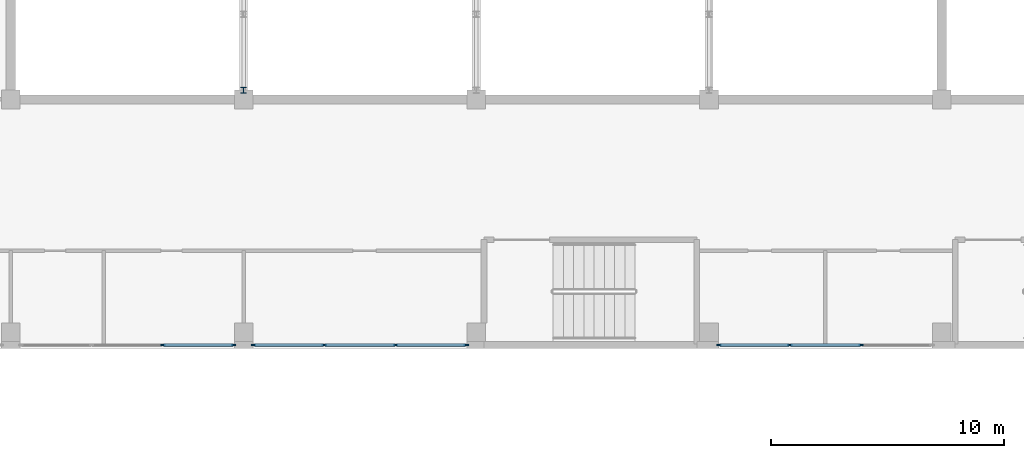
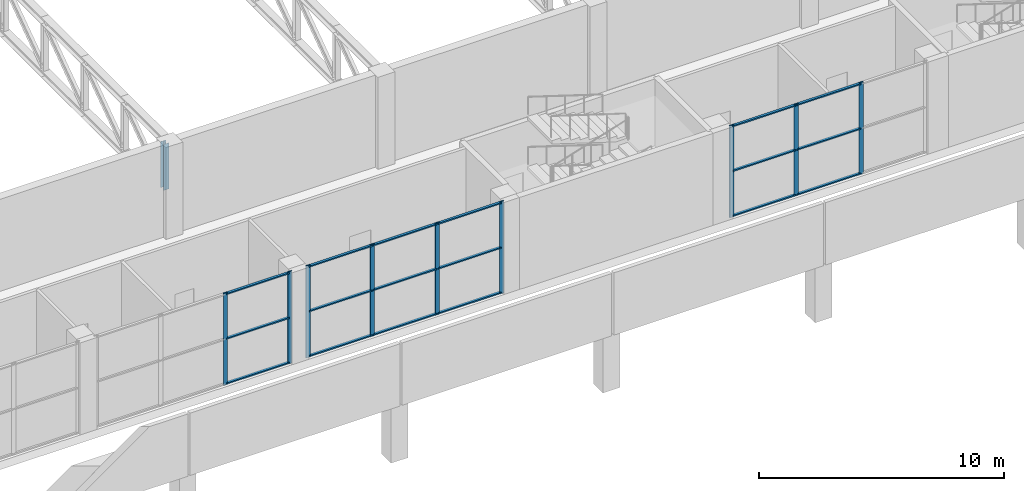
# One storey, part 4 of 36: 28 members, 3 elements without a shape of their own.
"""IFC4 building model written with IfcOpenShell, lengths in metres."""

from ifc_helpers import new_model, si_unit, direction, frame, origin, origin_2d, place, context, subcontext, project, spatial, rectangle, i_section, extrude, material, material_profile, profile_set, type_object, element, aggregate, save


model = new_model("IFC4")

# Units and contexts
model_context = context("Model", 3, precision=1e-05, world=origin(), true_north=direction((0.0, 1.0)))
body_context = subcontext(model_context, "Body", "Model", "MODEL_VIEW")
ifc_project = project(units=[si_unit("LENGTHUNIT", "METRE"), si_unit("AREAUNIT", "SQUARE_METRE"), si_unit("VOLUMEUNIT", "CUBIC_METRE"), si_unit("PLANEANGLEUNIT", "RADIAN"), si_unit("MASSUNIT", "GRAM", prefix="KILO")], contexts=[model_context])

# Site, building, storey
site_placement = place(None, origin())
site = spatial("IfcSite", under=ifc_project, at=site_placement, CompositionType="ELEMENT")
building_placement = place(site_placement, origin())
building = spatial("IfcBuilding", under=site, at=building_placement, Name="Jabali Bay Hotel Tower and Convention Centre", CompositionType="ELEMENT")
storey_placement = place(building_placement, frame((0.0, 0.0, 20.39990234375)))
storey = spatial("IfcBuildingStorey", under=building, at=storey_placement, Name="L03", CompositionType="ELEMENT", Elevation=20.39990234375)

# Curtain wall, members
ifc_material_1 = material(Name="Aluminium 6063-T5 and glass", Category="aluminium")
curtain_wall_type = type_object("IfcCurtainWallType", Name="CC CW5 Unitised Curtain Wall", PredefinedType="NOTDEFINED", material=ifc_material_1)
curtain_wall_1_placement = place(storey_placement, origin())
curtain_wall_1 = element("IfcCurtainWall", 1, at=curtain_wall_1_placement, inside=storey, type_object=curtain_wall_type, Name="CC CW5 run 8", PredefinedType="NOTDEFINED")
ifc_material_2 = material(Name="Aluminium 6063-T5", Category="aluminium")
ifc_material_profile_1 = material_profile(ifc_material_2, rectangle(XDim=0.06005859375, YDim=0.199951171875, at=origin_2d()), Name="AL 60x200")
ifc_profile_set_1 = profile_set([ifc_material_profile_1], Name="Aluminium 6063-T5")
member_type_1 = type_object("IfcMemberType", Name="CC Curtain Wall Mullion 60x200", PredefinedType="MULLION", material=ifc_profile_set_1)
member_1_placement = place(storey_placement, frame((187.2333984375, 49.449951171875, 0.0), z_axis=(0.0, 0.0, 1.0), x_axis=(0.0, 1.0, 0.0)))
member_1 = element("IfcMember", 2, at=member_1_placement, type_object=member_type_1, Name="CC-CW5 mullion 3", PredefinedType="MULLION", context=body_context, shape_type="SweptSolid", body=[
    extrude(rectangle(XDim=0.06005859375, YDim=0.199951171875, at=origin_2d()), origin(), (0.0, 0.0, 1.0), 4.590087890625),
])
member_2_placement = place(storey_placement, frame((190.27001953125, 49.449951171875, 0.0), z_axis=(0.0, 0.0, 1.0), x_axis=(0.0, 1.0, 0.0)))
member_2 = element("IfcMember", 3, at=member_2_placement, type_object=member_type_1, Name="CC-CW5 mullion 4", PredefinedType="MULLION", context=body_context, shape_type="SweptSolid", body=[
    extrude(rectangle(XDim=0.06005859375, YDim=0.199951171875, at=origin_2d()), origin(), (0.0, 0.0, 1.0), 4.590087890625),
])

curtain_wall_2_placement = place(storey_placement, origin())
curtain_wall_2 = element("IfcCurtainWall", 4, at=curtain_wall_2_placement, inside=storey, type_object=curtain_wall_type, Name="CC CW5 run 9", PredefinedType="NOTDEFINED")
member_3_placement = place(storey_placement, frame((191.1298828125, 49.449951171875, 0.0), z_axis=(0.0, 0.0, 1.0), x_axis=(0.0, 1.0, 0.0)))
member_3 = element("IfcMember", 5, at=member_3_placement, type_object=member_type_1, Name="CC-CW5 mullion 1", PredefinedType="MULLION", context=body_context, shape_type="SweptSolid", body=[
    extrude(rectangle(XDim=0.06005859375, YDim=0.199951171875, at=origin_2d()), origin(), (0.0, 0.0, 1.0), 4.590087890625),
])
member_4_placement = place(storey_placement, frame((194.166748046875, 49.449951171875, 0.0), z_axis=(0.0, 0.0, 1.0), x_axis=(0.0, 1.0, 0.0)))
member_4 = element("IfcMember", 6, at=member_4_placement, type_object=member_type_1, Name="CC-CW5 mullion 2", PredefinedType="MULLION", context=body_context, shape_type="SweptSolid", body=[
    extrude(rectangle(XDim=0.06005859375, YDim=0.199951171875, at=origin_2d()), origin(), (0.0, 0.0, 1.0), 4.590087890625),
])
member_5_placement = place(storey_placement, frame((197.2333984375, 49.449951171875, 0.0), z_axis=(0.0, 0.0, 1.0), x_axis=(0.0, 1.0, 0.0)))
member_5 = element("IfcMember", 7, at=member_5_placement, type_object=member_type_1, Name="CC-CW5 mullion 3", PredefinedType="MULLION", context=body_context, shape_type="SweptSolid", body=[
    extrude(rectangle(XDim=0.06005859375, YDim=0.199951171875, at=origin_2d()), origin(), (0.0, 0.0, 1.0), 4.590087890625),
])
member_6_placement = place(storey_placement, frame((200.27001953125, 49.449951171875, 0.0), z_axis=(0.0, 0.0, 1.0), x_axis=(0.0, 1.0, 0.0)))
member_6 = element("IfcMember", 8, at=member_6_placement, type_object=member_type_1, Name="CC-CW5 mullion 4", PredefinedType="MULLION", context=body_context, shape_type="SweptSolid", body=[
    extrude(rectangle(XDim=0.06005859375, YDim=0.199951171875, at=origin_2d()), origin(), (0.0, 0.0, 1.0), 4.590087890625),
])

curtain_wall_3_placement = place(storey_placement, origin())
curtain_wall_3 = element("IfcCurtainWall", 9, at=curtain_wall_3_placement, inside=storey, type_object=curtain_wall_type, Name="CC CW5 run 10", PredefinedType="NOTDEFINED")
member_7_placement = place(storey_placement, frame((211.1298828125, 49.449951171875, 0.0), z_axis=(0.0, 0.0, 1.0), x_axis=(0.0, 1.0, 0.0)))
member_7 = element("IfcMember", 10, at=member_7_placement, type_object=member_type_1, Name="CC-CW5 mullion 1", PredefinedType="MULLION", context=body_context, shape_type="SweptSolid", body=[
    extrude(rectangle(XDim=0.06005859375, YDim=0.199951171875, at=origin_2d()), origin(), (0.0, 0.0, 1.0), 4.590087890625),
])
member_8_placement = place(storey_placement, frame((214.166748046875, 49.449951171875, 0.0), z_axis=(0.0, 0.0, 1.0), x_axis=(0.0, 1.0, 0.0)))
member_8 = element("IfcMember", 11, at=member_8_placement, type_object=member_type_1, Name="CC-CW5 mullion 2", PredefinedType="MULLION", context=body_context, shape_type="SweptSolid", body=[
    extrude(rectangle(XDim=0.06005859375, YDim=0.199951171875, at=origin_2d()), origin(), (0.0, 0.0, 1.0), 4.590087890625),
])
member_9_placement = place(storey_placement, frame((217.2333984375, 49.449951171875, 0.0), z_axis=(0.0, 0.0, 1.0), x_axis=(0.0, 1.0, 0.0)))
member_9 = element("IfcMember", 12, at=member_9_placement, type_object=member_type_1, Name="CC-CW5 mullion 3", PredefinedType="MULLION", context=body_context, shape_type="SweptSolid", body=[
    extrude(rectangle(XDim=0.06005859375, YDim=0.199951171875, at=origin_2d()), origin(), (0.0, 0.0, 1.0), 4.590087890625),
])

# Member
ifc_material_profile_2 = material_profile(ifc_material_2, rectangle(XDim=0.1201171875, YDim=0.06005859375, at=origin_2d()), Name="AL 120x60")
ifc_profile_set_2 = profile_set([ifc_material_profile_2], Name="Aluminium 6063-T5")
member_type_2 = type_object("IfcMemberType", Name="CC Curtain Wall Transom 60x120", PredefinedType="USERDEFINED", material=ifc_profile_set_2)
member_10_placement = place(storey_placement, frame((187.263427734375, 49.449951171875, 0.06005859375), z_axis=(1.0, 0.0, 0.0), x_axis=(0.0, 1.0, 0.0)))
member_10 = element("IfcMember", 13, at=member_10_placement, type_object=member_type_2, Name="CC-CW5 transom 3.1", ObjectType="TRANSOM", PredefinedType="USERDEFINED", context=body_context, shape_type="SweptSolid", body=[
    extrude(rectangle(XDim=0.1201171875, YDim=0.06005859375, at=origin_2d()), origin(), (0.0, 0.0, 1.0), 2.9765625),
])

member_11_placement = place(storey_placement, frame((187.263427734375, 49.449951171875, 2.300048828125), z_axis=(1.0, 0.0, 0.0), x_axis=(0.0, 1.0, 0.0)))
member_11 = element("IfcMember", 14, at=member_11_placement, type_object=member_type_2, Name="CC-CW5 transom 3.2", ObjectType="TRANSOM", PredefinedType="USERDEFINED", context=body_context, shape_type="SweptSolid", body=[
    extrude(rectangle(XDim=0.1201171875, YDim=0.06005859375, at=origin_2d()), origin(), (0.0, 0.0, 1.0), 2.9765625),
])

member_12_placement = place(storey_placement, frame((187.263427734375, 49.449951171875, 4.530029296875), z_axis=(1.0, 0.0, 0.0), x_axis=(0.0, 1.0, 0.0)))
member_12 = element("IfcMember", 15, at=member_12_placement, type_object=member_type_2, Name="CC-CW5 transom 3.3", ObjectType="TRANSOM", PredefinedType="USERDEFINED", context=body_context, shape_type="SweptSolid", body=[
    extrude(rectangle(XDim=0.1201171875, YDim=0.06005859375, at=origin_2d()), origin(), (0.0, 0.0, 1.0), 2.9765625),
])

aggregate(curtain_wall_1, [member_1, member_2, member_10, member_11, member_12])

member_13_placement = place(storey_placement, frame((191.159912109375, 49.449951171875, 0.06005859375), z_axis=(1.0, 0.0, 0.0), x_axis=(0.0, 1.0, 0.0)))
member_13 = element("IfcMember", 16, at=member_13_placement, type_object=member_type_2, Name="CC-CW5 transom 1.1", ObjectType="TRANSOM", PredefinedType="USERDEFINED", context=body_context, shape_type="SweptSolid", body=[
    extrude(rectangle(XDim=0.1201171875, YDim=0.06005859375, at=origin_2d()), origin(), (0.0, 0.0, 1.0), 2.976806640625),
])

member_14_placement = place(storey_placement, frame((191.159912109375, 49.449951171875, 2.300048828125), z_axis=(1.0, 0.0, 0.0), x_axis=(0.0, 1.0, 0.0)))
member_14 = element("IfcMember", 17, at=member_14_placement, type_object=member_type_2, Name="CC-CW5 transom 1.2", ObjectType="TRANSOM", PredefinedType="USERDEFINED", context=body_context, shape_type="SweptSolid", body=[
    extrude(rectangle(XDim=0.1201171875, YDim=0.06005859375, at=origin_2d()), origin(), (0.0, 0.0, 1.0), 2.976806640625),
])

member_15_placement = place(storey_placement, frame((191.159912109375, 49.449951171875, 4.530029296875), z_axis=(1.0, 0.0, 0.0), x_axis=(0.0, 1.0, 0.0)))
member_15 = element("IfcMember", 18, at=member_15_placement, type_object=member_type_2, Name="CC-CW5 transom 1.3", ObjectType="TRANSOM", PredefinedType="USERDEFINED", context=body_context, shape_type="SweptSolid", body=[
    extrude(rectangle(XDim=0.1201171875, YDim=0.06005859375, at=origin_2d()), origin(), (0.0, 0.0, 1.0), 2.976806640625),
])

member_16_placement = place(storey_placement, frame((194.19677734375, 49.449951171875, 0.06005859375), z_axis=(1.0, 0.0, 0.0), x_axis=(0.0, 1.0, 0.0)))
member_16 = element("IfcMember", 19, at=member_16_placement, type_object=member_type_2, Name="CC-CW5 transom 2.1", ObjectType="TRANSOM", PredefinedType="USERDEFINED", context=body_context, shape_type="SweptSolid", body=[
    extrude(rectangle(XDim=0.1201171875, YDim=0.06005859375, at=origin_2d()), origin(), (0.0, 0.0, 1.0), 3.006591796875),
])

member_17_placement = place(storey_placement, frame((194.19677734375, 49.449951171875, 2.300048828125), z_axis=(1.0, 0.0, 0.0), x_axis=(0.0, 1.0, 0.0)))
member_17 = element("IfcMember", 20, at=member_17_placement, type_object=member_type_2, Name="CC-CW5 transom 2.2", ObjectType="TRANSOM", PredefinedType="USERDEFINED", context=body_context, shape_type="SweptSolid", body=[
    extrude(rectangle(XDim=0.1201171875, YDim=0.06005859375, at=origin_2d()), origin(), (0.0, 0.0, 1.0), 3.006591796875),
])

member_18_placement = place(storey_placement, frame((194.19677734375, 49.449951171875, 4.530029296875), z_axis=(1.0, 0.0, 0.0), x_axis=(0.0, 1.0, 0.0)))
member_18 = element("IfcMember", 21, at=member_18_placement, type_object=member_type_2, Name="CC-CW5 transom 2.3", ObjectType="TRANSOM", PredefinedType="USERDEFINED", context=body_context, shape_type="SweptSolid", body=[
    extrude(rectangle(XDim=0.1201171875, YDim=0.06005859375, at=origin_2d()), origin(), (0.0, 0.0, 1.0), 3.006591796875),
])

member_19_placement = place(storey_placement, frame((197.263427734375, 49.449951171875, 0.06005859375), z_axis=(1.0, 0.0, 0.0), x_axis=(0.0, 1.0, 0.0)))
member_19 = element("IfcMember", 22, at=member_19_placement, type_object=member_type_2, Name="CC-CW5 transom 3.1", ObjectType="TRANSOM", PredefinedType="USERDEFINED", context=body_context, shape_type="SweptSolid", body=[
    extrude(rectangle(XDim=0.1201171875, YDim=0.06005859375, at=origin_2d()), origin(), (0.0, 0.0, 1.0), 2.9765625),
])

member_20_placement = place(storey_placement, frame((197.263427734375, 49.449951171875, 2.300048828125), z_axis=(1.0, 0.0, 0.0), x_axis=(0.0, 1.0, 0.0)))
member_20 = element("IfcMember", 23, at=member_20_placement, type_object=member_type_2, Name="CC-CW5 transom 3.2", ObjectType="TRANSOM", PredefinedType="USERDEFINED", context=body_context, shape_type="SweptSolid", body=[
    extrude(rectangle(XDim=0.1201171875, YDim=0.06005859375, at=origin_2d()), origin(), (0.0, 0.0, 1.0), 2.9765625),
])

member_21_placement = place(storey_placement, frame((197.263427734375, 49.449951171875, 4.530029296875), z_axis=(1.0, 0.0, 0.0), x_axis=(0.0, 1.0, 0.0)))
member_21 = element("IfcMember", 24, at=member_21_placement, type_object=member_type_2, Name="CC-CW5 transom 3.3", ObjectType="TRANSOM", PredefinedType="USERDEFINED", context=body_context, shape_type="SweptSolid", body=[
    extrude(rectangle(XDim=0.1201171875, YDim=0.06005859375, at=origin_2d()), origin(), (0.0, 0.0, 1.0), 2.9765625),
])

aggregate(curtain_wall_2, [member_3, member_4, member_5, member_6, member_13, member_14, member_15, member_16, member_17, member_18, member_19, member_20, member_21])

member_22_placement = place(storey_placement, frame((211.159912109375, 49.449951171875, 0.06005859375), z_axis=(1.0, 0.0, 0.0), x_axis=(0.0, 1.0, 0.0)))
member_22 = element("IfcMember", 25, at=member_22_placement, type_object=member_type_2, Name="CC-CW5 transom 1.1", ObjectType="TRANSOM", PredefinedType="USERDEFINED", context=body_context, shape_type="SweptSolid", body=[
    extrude(rectangle(XDim=0.1201171875, YDim=0.06005859375, at=origin_2d()), origin(), (0.0, 0.0, 1.0), 2.976806640625),
])

member_23_placement = place(storey_placement, frame((211.159912109375, 49.449951171875, 2.300048828125), z_axis=(1.0, 0.0, 0.0), x_axis=(0.0, 1.0, 0.0)))
member_23 = element("IfcMember", 26, at=member_23_placement, type_object=member_type_2, Name="CC-CW5 transom 1.2", ObjectType="TRANSOM", PredefinedType="USERDEFINED", context=body_context, shape_type="SweptSolid", body=[
    extrude(rectangle(XDim=0.1201171875, YDim=0.06005859375, at=origin_2d()), origin(), (0.0, 0.0, 1.0), 2.976806640625),
])

member_24_placement = place(storey_placement, frame((211.159912109375, 49.449951171875, 4.530029296875), z_axis=(1.0, 0.0, 0.0), x_axis=(0.0, 1.0, 0.0)))
member_24 = element("IfcMember", 27, at=member_24_placement, type_object=member_type_2, Name="CC-CW5 transom 1.3", ObjectType="TRANSOM", PredefinedType="USERDEFINED", context=body_context, shape_type="SweptSolid", body=[
    extrude(rectangle(XDim=0.1201171875, YDim=0.06005859375, at=origin_2d()), origin(), (0.0, 0.0, 1.0), 2.976806640625),
])

member_25_placement = place(storey_placement, frame((214.19677734375, 49.449951171875, 0.06005859375), z_axis=(1.0, 0.0, 0.0), x_axis=(0.0, 1.0, 0.0)))
member_25 = element("IfcMember", 28, at=member_25_placement, type_object=member_type_2, Name="CC-CW5 transom 2.1", ObjectType="TRANSOM", PredefinedType="USERDEFINED", context=body_context, shape_type="SweptSolid", body=[
    extrude(rectangle(XDim=0.1201171875, YDim=0.06005859375, at=origin_2d()), origin(), (0.0, 0.0, 1.0), 3.006591796875),
])

member_26_placement = place(storey_placement, frame((214.19677734375, 49.449951171875, 2.300048828125), z_axis=(1.0, 0.0, 0.0), x_axis=(0.0, 1.0, 0.0)))
member_26 = element("IfcMember", 29, at=member_26_placement, type_object=member_type_2, Name="CC-CW5 transom 2.2", ObjectType="TRANSOM", PredefinedType="USERDEFINED", context=body_context, shape_type="SweptSolid", body=[
    extrude(rectangle(XDim=0.1201171875, YDim=0.06005859375, at=origin_2d()), origin(), (0.0, 0.0, 1.0), 3.006591796875),
])

member_27_placement = place(storey_placement, frame((214.19677734375, 49.449951171875, 4.530029296875), z_axis=(1.0, 0.0, 0.0), x_axis=(0.0, 1.0, 0.0)))
member_27 = element("IfcMember", 30, at=member_27_placement, type_object=member_type_2, Name="CC-CW5 transom 2.3", ObjectType="TRANSOM", PredefinedType="USERDEFINED", context=body_context, shape_type="SweptSolid", body=[
    extrude(rectangle(XDim=0.1201171875, YDim=0.06005859375, at=origin_2d()), origin(), (0.0, 0.0, 1.0), 3.006591796875),
])

aggregate(curtain_wall_3, [member_7, member_8, member_9, member_22, member_23, member_24, member_25, member_26, member_27])

ifc_material_3 = material(Name="Steel Q355B", Category="steel")
ifc_material_profile_3 = material_profile(ifc_material_3, i_section(OverallWidth=0.25, OverallDepth=0.25, WebThickness=0.009033203125, FlangeThickness=0.013916015625, at=origin_2d()), Name="HW250x250x9x14")
ifc_profile_set_3 = profile_set([ifc_material_profile_3], Name="Steel Q355B")
member_type_3 = type_object("IfcMemberType", Name="CC Roof Truss Post HW250x250x9x14", PredefinedType="POST", material=ifc_profile_set_3)
member_28_placement = place(storey_placement, frame((190.699951171875, 60.39990234375, 1.940185546875), z_axis=(0.0, 0.0, 1.0), x_axis=(1.0, 0.0, 0.0)))
element("IfcMember", 31, at=member_28_placement, inside=storey, type_object=member_type_3, Name="CC roof truss B1 post 1", PredefinedType="POST", context=body_context, shape_type="SweptSolid", body=[
    extrude(i_section(OverallWidth=0.25, OverallDepth=0.25, WebThickness=0.009033203125, FlangeThickness=0.013916015625, at=origin_2d()), origin(), (0.0, 0.0, 1.0), 2.2998046875),
])

save(model, "model.ifc")
